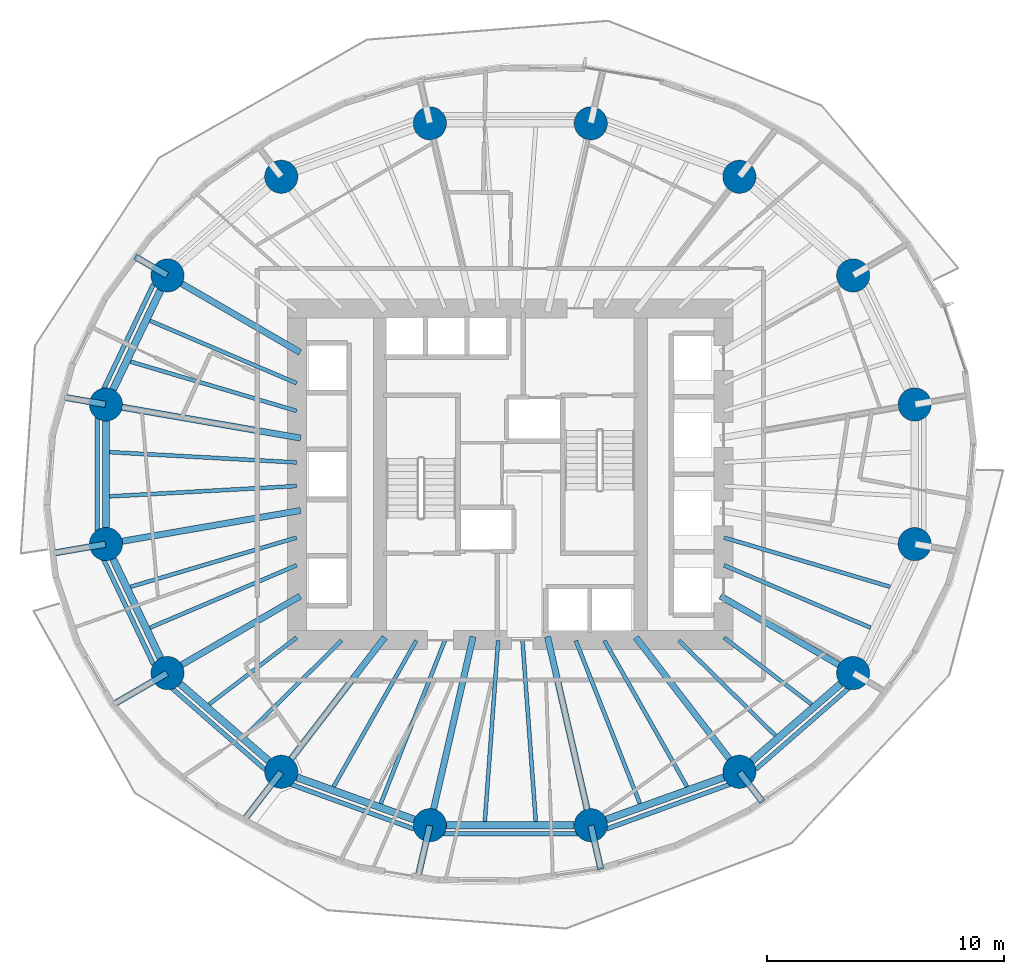
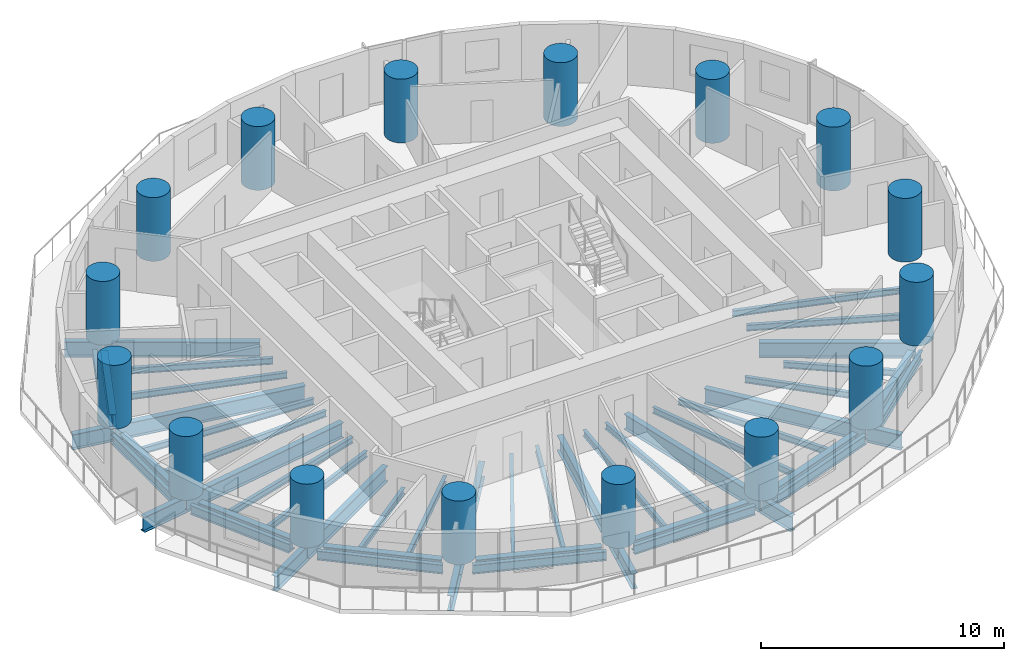
# One storey, part 1 of 13: 51 beams, 16 columns.
"""IFC4 building model written with IfcOpenShell, lengths in metres."""

from ifc_helpers import new_model, si_unit, direction, frame, origin, origin_2d, place, context, subcontext, project, spatial, circle, i_section, extrude, material, material_profile, profile_set, type_object, element, save


model = new_model("IFC4")

# Units and contexts
model_context = context("Model", 3, precision=1e-05, world=origin(), true_north=direction((0.0, 1.0)))
body_context = subcontext(model_context, "Body", "Model", "MODEL_VIEW")
ifc_project = project(units=[si_unit("LENGTHUNIT", "METRE"), si_unit("AREAUNIT", "SQUARE_METRE"), si_unit("VOLUMEUNIT", "CUBIC_METRE"), si_unit("PLANEANGLEUNIT", "RADIAN"), si_unit("MASSUNIT", "GRAM", prefix="KILO")], contexts=[model_context])

# Site, building, storey
site_placement = place(None, origin())
site = spatial("IfcSite", under=ifc_project, at=site_placement, CompositionType="ELEMENT")
building_placement = place(site_placement, origin())
building = spatial("IfcBuilding", under=site, at=building_placement, Name="Veldorim Arch Residences", CompositionType="ELEMENT")
storey_placement = place(building_placement, frame((0.0, 0.0, 53.60009765625)))
storey = spatial("IfcBuildingStorey", under=building, at=storey_placement, Name="L15", CompositionType="ELEMENT", Elevation=53.60009765625)

# Columns
ifc_material_1 = material(Name="Concrete C60/75", Category="concrete")
ifc_material_profile_1 = material_profile(ifc_material_1, circle(Radius=0.699951171875, at=origin_2d()), Name="RC_CIRC_1400")
ifc_profile_set_1 = profile_set([ifc_material_profile_1], Name="Concrete C60/75")
column_type = type_object("IfcColumnType", Name="Structural Column RC_CIRC_1400", PredefinedType="COLUMN", material=ifc_profile_set_1)
for number, where, z_axis, x_axis, name in (
    (1, (49.065673828125, 26.94580078125, 0.0), (0.0, 0.0, 1.0), (1.0, 0.0, 0.0), "L15 TC-Z1-01 perimeter column"),
    (2, (46.467529296875, 32.38916015625, 0.0), (0.0, 0.0, 1.0), (1.0, 0.0, 0.0), "L15 TC-Z1-02 perimeter column"),
    (3, (41.6669921875, 36.55517578125, 0.0), (0.0, 0.0, 1.0), (1.0, 0.0, 0.0), "L15 TC-Z1-03 perimeter column"),
    (4, (35.39453125, 38.809814453125, 0.0), (0.0, 0.0, 1.0), (1.0, 0.0, 0.0), "L15 TC-Z1-04 perimeter column"),
    (5, (28.60546875, 38.809814453125, 0.0), (0.0, 0.0, 1.0), (1.0, 0.0, 0.0), "L15 TC-Z1-05 perimeter column"),
    (6, (22.3330078125, 36.55517578125, 0.0), (0.0, 0.0, 1.0), (1.0, 0.0, 0.0), "L15 TC-Z1-06 perimeter column"),
    (7, (17.532470703125, 32.38916015625, 0.0), (0.0, 0.0, 1.0), (1.0, 0.0, 0.0), "L15 TC-Z1-07 perimeter column"),
    (8, (14.934326171875, 26.94580078125, 0.0), (0.0, 0.0, 1.0), (1.0, 0.0, 0.0), "L15 TC-Z1-08 perimeter column"),
    (9, (14.934326171875, 21.05419921875, 0.0), (0.0, 0.0, 1.0), (1.0, 0.0, 0.0), "L15 TC-Z1-09 perimeter column"),
    (10, (17.532470703125, 15.61083984375, 0.0), (0.0, 0.0, 1.0), (1.0, 0.0, 0.0), "L15 TC-Z1-10 perimeter column"),
    (11, (22.3330078125, 11.44482421875, 0.0), (0.0, 0.0, 1.0), (1.0, 0.0, 0.0), "L15 TC-Z1-11 perimeter column"),
    (12, (28.60546875, 9.190185546875, 0.0), (0.0, 0.0, 1.0), (1.0, 0.0, 0.0), "L15 TC-Z1-12 perimeter column"),
    (13, (35.39453125, 9.190185546875, 0.0), (0.0, 0.0, 1.0), (1.0, 0.0, 0.0), "L15 TC-Z1-13 perimeter column"),
    (14, (41.6669921875, 11.44482421875, 0.0), (0.0, 0.0, 1.0), (1.0, 0.0, 0.0), "L15 TC-Z1-14 perimeter column"),
    (15, (46.467529296875, 15.61083984375, 0.0), (0.0, 0.0, 1.0), (1.0, 0.0, 0.0), "L15 TC-Z1-15 perimeter column"),
    (16, (49.065673828125, 21.05419921875, 0.0), (0.0, 0.0, 1.0), (1.0, 0.0, 0.0), "L15 TC-Z1-16 perimeter column"),
):
    element("IfcColumn", number, at=place(storey_placement, frame(where, z_axis=z_axis, x_axis=x_axis)), inside=storey, type_object=column_type, Name=name, PredefinedType="COLUMN", context=body_context, shape_type="SweptSolid", body=[
        extrude(circle(Radius=0.699951171875, at=origin_2d()), origin(), (0.0, 0.0, 1.0), 3.199951171875),
    ])

# Beams
ifc_material_2 = material(Name="Steel S355", Category="steel")
ifc_material_profile_2 = material_profile(ifc_material_2, i_section(OverallWidth=0.30712890625, OverallDepth=0.6201171875, WebThickness=0.01416015625, FlangeThickness=0.023681640625, at=origin_2d()), Name="UB610x305x179")
ifc_profile_set_2 = profile_set([ifc_material_profile_2], Name="Steel S355")
beam_type_1 = type_object("IfcBeamType", Name="Structural Steel Beam UB610x305x179", PredefinedType="BEAM", material=ifc_profile_set_2)
beam_1_placement = place(storey_placement, frame((17.23095703125, 31.75732421875, -0.55029296875), z_axis=(-0.430776422552, -0.902458682585, 0.0), x_axis=(0.902458682585, -0.430776422552, 0.0)))
element("IfcBeam", 17, at=beam_1_placement, inside=storey, type_object=beam_type_1, Name="L15 perimeter ring tie beam 07", PredefinedType="BEAM", context=body_context, shape_type="SweptSolid", body=[
    extrude(i_section(OverallWidth=0.30712890625, OverallDepth=0.6201171875, WebThickness=0.01416015625, FlangeThickness=0.023681640625, at=origin_2d()), origin(), (0.0, 0.0, 1.0), 4.63134765625),
])
beam_2_placement = place(storey_placement, frame((14.934326171875, 26.245849609375, -0.55029296875), z_axis=(0.0, -1.0, 0.0), x_axis=(1.0, 0.0, 0.0)))
element("IfcBeam", 18, at=beam_2_placement, inside=storey, type_object=beam_type_1, Name="L15 perimeter ring tie beam 08", PredefinedType="BEAM", context=body_context, shape_type="SweptSolid", body=[
    extrude(i_section(OverallWidth=0.30712890625, OverallDepth=0.6201171875, WebThickness=0.01416015625, FlangeThickness=0.023681640625, at=origin_2d()), origin(), (0.0, 0.0, 1.0), 4.49169921875),
])
beam_3_placement = place(storey_placement, frame((15.23583984375, 20.42236328125, -0.55029296875), z_axis=(0.430776422552, -0.902458682585, 0.0), x_axis=(0.902458682585, 0.430776422552, 0.0)))
element("IfcBeam", 19, at=beam_3_placement, inside=storey, type_object=beam_type_1, Name="L15 perimeter ring tie beam 09", PredefinedType="BEAM", context=body_context, shape_type="SweptSolid", body=[
    extrude(i_section(OverallWidth=0.30712890625, OverallDepth=0.6201171875, WebThickness=0.01416015625, FlangeThickness=0.023681640625, at=origin_2d()), origin(), (0.0, 0.0, 1.0), 4.63134765625),
])
beam_4_placement = place(storey_placement, frame((18.06103515625, 15.152099609375, -0.55029296875), z_axis=(0.755264734985, -0.655419850239, 0.0), x_axis=(0.655419850239, 0.755264734985, 0.0)))
element("IfcBeam", 20, at=beam_4_placement, inside=storey, type_object=beam_type_1, Name="L15 perimeter ring tie beam 10", PredefinedType="BEAM", context=body_context, shape_type="SweptSolid", body=[
    extrude(i_section(OverallWidth=0.30712890625, OverallDepth=0.6201171875, WebThickness=0.01416015625, FlangeThickness=0.023681640625, at=origin_2d()), origin(), (0.0, 0.0, 1.0), 4.956298828125),
])
beam_5_placement = place(storey_placement, frame((22.99169921875, 11.2080078125, -0.55029296875), z_axis=(0.941058113369, -0.338244922006, 0.0), x_axis=(0.338244922006, 0.941058113369, 0.0)))
element("IfcBeam", 21, at=beam_5_placement, inside=storey, type_object=beam_type_1, Name="L15 perimeter ring tie beam 11", PredefinedType="BEAM", context=body_context, shape_type="SweptSolid", body=[
    extrude(i_section(OverallWidth=0.30712890625, OverallDepth=0.6201171875, WebThickness=0.01416015625, FlangeThickness=0.023681640625, at=origin_2d()), origin(), (0.0, 0.0, 1.0), 5.265380859375),
])
beam_6_placement = place(storey_placement, frame((29.305419921875, 9.190185546875, -0.55029296875), z_axis=(1.0, 0.0, 0.0), x_axis=(0.0, 1.0, 0.0)))
element("IfcBeam", 22, at=beam_6_placement, inside=storey, type_object=beam_type_1, Name="L15 perimeter ring tie beam 12", PredefinedType="BEAM", context=body_context, shape_type="SweptSolid", body=[
    extrude(i_section(OverallWidth=0.30712890625, OverallDepth=0.6201171875, WebThickness=0.01416015625, FlangeThickness=0.023681640625, at=origin_2d()), origin(), (0.0, 0.0, 1.0), 5.38916015625),
])
beam_7_placement = place(storey_placement, frame((36.05322265625, 9.427001953125, -0.55029296875), z_axis=(0.941058113369, 0.338244922006, 0.0), x_axis=(-0.338244922006, 0.941058113369, 0.0)))
element("IfcBeam", 23, at=beam_7_placement, inside=storey, type_object=beam_type_1, Name="L15 perimeter ring tie beam 13", PredefinedType="BEAM", context=body_context, shape_type="SweptSolid", body=[
    extrude(i_section(OverallWidth=0.30712890625, OverallDepth=0.6201171875, WebThickness=0.01416015625, FlangeThickness=0.023681640625, at=origin_2d()), origin(), (0.0, 0.0, 1.0), 5.265380859375),
])
beam_8_placement = place(storey_placement, frame((42.195556640625, 11.903564453125, -0.55029296875), z_axis=(0.755264734985, 0.655419850239, 0.0), x_axis=(-0.655419850239, 0.755264734985, 0.0)))
element("IfcBeam", 24, at=beam_8_placement, inside=storey, type_object=beam_type_1, Name="L15 perimeter ring tie beam 14", PredefinedType="BEAM", context=body_context, shape_type="SweptSolid", body=[
    extrude(i_section(OverallWidth=0.30712890625, OverallDepth=0.6201171875, WebThickness=0.01416015625, FlangeThickness=0.023681640625, at=origin_2d()), origin(), (0.0, 0.0, 1.0), 4.956298828125),
])
ifc_material_3 = material(Name="Steel S355", Category="steel")
ifc_material_profile_3 = material_profile(ifc_material_3, i_section(OverallWidth=0.26806640625, OverallDepth=0.769775390625, WebThickness=0.015625, FlangeThickness=0.025390625, at=origin_2d()), Name="UB762x267x197")
ifc_profile_set_3 = profile_set([ifc_material_profile_3], Name="Steel S355")
beam_type_2 = type_object("IfcBeamType", Name="Structural Steel GIRDER UB762x267x197", PredefinedType="USERDEFINED", material=ifc_profile_set_3)
beam_9_placement = place(storey_placement, frame((23.1298828125, 29.1435546875, -0.625), z_axis=(-0.865088348752, 0.501619525989, 0.0), x_axis=(-0.501619525989, -0.865088348752, 0.0)))
element("IfcBeam", 25, at=beam_9_placement, inside=storey, type_object=beam_type_2, Name="L15 radial floor girder 07", ObjectType="GIRDER", PredefinedType="USERDEFINED", context=body_context, shape_type="SweptSolid", body=[
    extrude(i_section(OverallWidth=0.26806640625, OverallDepth=0.769775390625, WebThickness=0.015625, FlangeThickness=0.025390625, at=origin_2d()), origin(), (0.0, 0.0, 1.0), 6.4501953125),
])
beam_10_placement = place(storey_placement, frame((17.51513671875, 32.399169921875, -0.625), z_axis=(-0.865069192435, 0.50165256134, 0.0), x_axis=(-0.50165256134, -0.865069192435, 0.0)))
element("IfcBeam", 26, at=beam_10_placement, inside=storey, type_object=beam_type_2, Name="L15 radial edge cantilever girder 07", ObjectType="GIRDER", PredefinedType="USERDEFINED", context=body_context, shape_type="SweptSolid", body=[
    extrude(i_section(OverallWidth=0.26806640625, OverallDepth=0.769775390625, WebThickness=0.015625, FlangeThickness=0.025390625, at=origin_2d()), origin(), (0.0, 0.0, 1.0), 1.561279296875),
])
beam_11_placement = place(storey_placement, frame((23.147705078125, 25.528076171875, -0.625), z_axis=(-0.985427548249, 0.170095699979, 0.0), x_axis=(-0.170095699979, -0.985427548249, 0.0)))
element("IfcBeam", 27, at=beam_11_placement, inside=storey, type_object=beam_type_2, Name="L15 radial floor girder 08", ObjectType="GIRDER", PredefinedType="USERDEFINED", context=body_context, shape_type="SweptSolid", body=[
    extrude(i_section(OverallWidth=0.26806640625, OverallDepth=0.769775390625, WebThickness=0.015625, FlangeThickness=0.025390625, at=origin_2d()), origin(), (0.0, 0.0, 1.0), 8.314697265625),
])
beam_12_placement = place(storey_placement, frame((14.91455078125, 26.94921875, -0.625), z_axis=(-0.985429411719, 0.170084903857, 0.0), x_axis=(-0.170084903857, -0.985429411719, 0.0)))
element("IfcBeam", 28, at=beam_12_placement, inside=storey, type_object=beam_type_2, Name="L15 radial edge cantilever girder 08", ObjectType="GIRDER", PredefinedType="USERDEFINED", context=body_context, shape_type="SweptSolid", body=[
    extrude(i_section(OverallWidth=0.26806640625, OverallDepth=0.769775390625, WebThickness=0.015625, FlangeThickness=0.025390625, at=origin_2d()), origin(), (0.0, 0.0, 1.0), 1.83740234375),
])
beam_13_placement = place(storey_placement, frame((23.147705078125, 22.471923828125, -0.625), z_axis=(-0.985427548249, -0.170095699979, 0.0), x_axis=(0.170095699979, -0.985427548249, 0.0)))
element("IfcBeam", 29, at=beam_13_placement, inside=storey, type_object=beam_type_2, Name="L15 radial floor girder 09", ObjectType="GIRDER", PredefinedType="USERDEFINED", context=body_context, shape_type="SweptSolid", body=[
    extrude(i_section(OverallWidth=0.26806640625, OverallDepth=0.769775390625, WebThickness=0.015625, FlangeThickness=0.025390625, at=origin_2d()), origin(), (0.0, 0.0, 1.0), 8.314697265625),
])
beam_14_placement = place(storey_placement, frame((14.91455078125, 21.05078125, -0.625), z_axis=(-0.985413878658, -0.170174874021, 0.0), x_axis=(0.170174874021, -0.985413878658, 0.0)))
element("IfcBeam", 30, at=beam_14_placement, inside=storey, type_object=beam_type_2, Name="L15 radial edge cantilever girder 09", ObjectType="GIRDER", PredefinedType="USERDEFINED", context=body_context, shape_type="SweptSolid", body=[
    extrude(i_section(OverallWidth=0.26806640625, OverallDepth=0.769775390625, WebThickness=0.015625, FlangeThickness=0.025390625, at=origin_2d()), origin(), (0.0, 0.0, 1.0), 2.288330078125),
])
beam_15_placement = place(storey_placement, frame((23.1298828125, 18.8564453125, -0.625), z_axis=(-0.865088348752, -0.501619525989, 0.0), x_axis=(0.501619525989, -0.865088348752, 0.0)))
element("IfcBeam", 31, at=beam_15_placement, inside=storey, type_object=beam_type_2, Name="L15 radial floor girder 10", ObjectType="GIRDER", PredefinedType="USERDEFINED", context=body_context, shape_type="SweptSolid", body=[
    extrude(i_section(OverallWidth=0.26806640625, OverallDepth=0.769775390625, WebThickness=0.015625, FlangeThickness=0.025390625, at=origin_2d()), origin(), (0.0, 0.0, 1.0), 6.4501953125),
])
beam_16_placement = place(storey_placement, frame((17.51513671875, 15.600830078125, -0.625), z_axis=(-0.865102620341, -0.501594912534, 0.0), x_axis=(0.501594912534, -0.865102620341, 0.0)))
element("IfcBeam", 32, at=beam_16_placement, inside=storey, type_object=beam_type_2, Name="L15 radial edge cantilever girder 10", ObjectType="GIRDER", PredefinedType="USERDEFINED", context=body_context, shape_type="SweptSolid", body=[
    extrude(i_section(OverallWidth=0.26806640625, OverallDepth=0.769775390625, WebThickness=0.015625, FlangeThickness=0.025390625, at=origin_2d()), origin(), (0.0, 0.0, 1.0), 2.669677734375),
])
beam_17_placement = place(storey_placement, frame((26.701904296875, 17.118896484375, -0.625), z_axis=(-0.610082439157, -0.792337943956, 0.0), x_axis=(0.792337943956, -0.610082439157, 0.0)))
element("IfcBeam", 33, at=beam_17_placement, inside=storey, type_object=beam_type_2, Name="L15 radial floor girder 11", ObjectType="GIRDER", PredefinedType="USERDEFINED", context=body_context, shape_type="SweptSolid", body=[
    extrude(i_section(OverallWidth=0.26806640625, OverallDepth=0.769775390625, WebThickness=0.015625, FlangeThickness=0.025390625, at=origin_2d()), origin(), (0.0, 0.0, 1.0), 7.14111328125),
])
beam_18_placement = place(storey_placement, frame((22.32080078125, 11.428955078125, -0.625), z_axis=(-0.610041651391, -0.792369347948, 0.0), x_axis=(0.792369347948, -0.610041651391, 0.0)))
element("IfcBeam", 34, at=beam_18_placement, inside=storey, type_object=beam_type_2, Name="L15 radial edge cantilever girder 11", ObjectType="GIRDER", PredefinedType="USERDEFINED", context=body_context, shape_type="SweptSolid", body=[
    extrude(i_section(OverallWidth=0.26806640625, OverallDepth=0.769775390625, WebThickness=0.015625, FlangeThickness=0.025390625, at=origin_2d()), origin(), (0.0, 0.0, 1.0), 2.56689453125),
])
beam_19_placement = place(storey_placement, frame((30.428955078125, 17.146240234375, -0.625), z_axis=(-0.223411766201, -0.974724157248, 0.0), x_axis=(0.974724157248, -0.223411766201, 0.0)))
element("IfcBeam", 35, at=beam_19_placement, inside=storey, type_object=beam_type_2, Name="L15 radial floor girder 12", ObjectType="GIRDER", PredefinedType="USERDEFINED", context=body_context, shape_type="SweptSolid", body=[
    extrude(i_section(OverallWidth=0.26806640625, OverallDepth=0.769775390625, WebThickness=0.015625, FlangeThickness=0.025390625, at=origin_2d()), origin(), (0.0, 0.0, 1.0), 8.142333984375),
])
beam_20_placement = place(storey_placement, frame((28.600830078125, 9.170654296875, -0.625), z_axis=(-0.223363216183, -0.974735283888, 0.0), x_axis=(0.974735283888, -0.223363216183, 0.0)))
element("IfcBeam", 36, at=beam_20_placement, inside=storey, type_object=beam_type_2, Name="L15 radial edge cantilever girder 12", ObjectType="GIRDER", PredefinedType="USERDEFINED", context=body_context, shape_type="SweptSolid", body=[
    extrude(i_section(OverallWidth=0.26806640625, OverallDepth=0.769775390625, WebThickness=0.015625, FlangeThickness=0.025390625, at=origin_2d()), origin(), (0.0, 0.0, 1.0), 2.24072265625),
])
beam_21_placement = place(storey_placement, frame((33.571044921875, 17.146240234375, -0.625), z_axis=(0.223411766201, -0.974724157248, 0.0), x_axis=(0.974724157248, 0.223411766201, 0.0)))
element("IfcBeam", 37, at=beam_21_placement, inside=storey, type_object=beam_type_2, Name="L15 radial floor girder 13", ObjectType="GIRDER", PredefinedType="USERDEFINED", context=body_context, shape_type="SweptSolid", body=[
    extrude(i_section(OverallWidth=0.26806640625, OverallDepth=0.769775390625, WebThickness=0.015625, FlangeThickness=0.025390625, at=origin_2d()), origin(), (0.0, 0.0, 1.0), 8.142333984375),
])
beam_22_placement = place(storey_placement, frame((35.399169921875, 9.170654296875, -0.625), z_axis=(0.223322154624, -0.974744692345, 0.0), x_axis=(0.974744692345, 0.223322154624, 0.0)))
element("IfcBeam", 38, at=beam_22_placement, inside=storey, type_object=beam_type_2, Name="L15 radial edge cantilever girder 13", ObjectType="GIRDER", PredefinedType="USERDEFINED", context=body_context, shape_type="SweptSolid", body=[
    extrude(i_section(OverallWidth=0.26806640625, OverallDepth=0.769775390625, WebThickness=0.015625, FlangeThickness=0.025390625, at=origin_2d()), origin(), (0.0, 0.0, 1.0), 1.879150390625),
])
beam_23_placement = place(storey_placement, frame((37.298095703125, 17.118896484375, -0.625), z_axis=(0.610082439157, -0.792337943956, 0.0), x_axis=(0.792337943956, 0.610082439157, 0.0)))
element("IfcBeam", 39, at=beam_23_placement, inside=storey, type_object=beam_type_2, Name="L15 radial floor girder 14", ObjectType="GIRDER", PredefinedType="USERDEFINED", context=body_context, shape_type="SweptSolid", body=[
    extrude(i_section(OverallWidth=0.26806640625, OverallDepth=0.769775390625, WebThickness=0.015625, FlangeThickness=0.025390625, at=origin_2d()), origin(), (0.0, 0.0, 1.0), 7.14111328125),
])
beam_24_placement = place(storey_placement, frame((41.67919921875, 11.428955078125, -0.625), z_axis=(0.610061594732, -0.792353993259, 0.0), x_axis=(0.792353993259, 0.610061594732, 0.0)))
element("IfcBeam", 40, at=beam_24_placement, inside=storey, type_object=beam_type_2, Name="L15 radial edge cantilever girder 14", ObjectType="GIRDER", PredefinedType="USERDEFINED", context=body_context, shape_type="SweptSolid", body=[
    extrude(i_section(OverallWidth=0.26806640625, OverallDepth=0.769775390625, WebThickness=0.015625, FlangeThickness=0.025390625, at=origin_2d()), origin(), (0.0, 0.0, 1.0), 1.580322265625),
])
beam_25_placement = place(storey_placement, frame((40.8701171875, 18.8564453125, -0.625), z_axis=(0.865088348752, -0.501619525989, 0.0), x_axis=(0.501619525989, 0.865088348752, 0.0)))
element("IfcBeam", 41, at=beam_25_placement, inside=storey, type_object=beam_type_2, Name="L15 radial floor girder 15", ObjectType="GIRDER", PredefinedType="USERDEFINED", context=body_context, shape_type="SweptSolid", body=[
    extrude(i_section(OverallWidth=0.26806640625, OverallDepth=0.769775390625, WebThickness=0.015625, FlangeThickness=0.025390625, at=origin_2d()), origin(), (0.0, 0.0, 1.0), 6.4501953125),
])
ifc_material_4 = material(Name="Steel S355", Category="steel")
ifc_material_profile_4 = material_profile(ifc_material_4, i_section(OverallWidth=0.165771484375, OverallDepth=0.306640625, WebThickness=0.006591796875, FlangeThickness=0.01171875, at=origin_2d()), Name="UB305x165x46")
ifc_profile_set_4 = profile_set([ifc_material_profile_4], Name="Steel S355")
beam_type_3 = type_object("IfcBeamType", Name="Structural Steel Joist UB305x165x46", PredefinedType="JOIST", material=ifc_profile_set_4)
beam_26_placement = place(storey_placement, frame((22.981689453125, 27.84130859375, -0.393310546875), z_axis=(-0.920032948668, 0.391841005213, 0.0), x_axis=(-0.391841005213, -0.920032948668, 0.0)))
element("IfcBeam", 42, at=beam_26_placement, inside=storey, type_object=beam_type_3, Name="L15 secondary radial floor joist 07-1", PredefinedType="JOIST", context=body_context, shape_type="SweptSolid", body=[
    extrude(i_section(OverallWidth=0.165771484375, OverallDepth=0.306640625, WebThickness=0.006591796875, FlangeThickness=0.01171875, at=origin_2d()), origin(), (0.0, 0.0, 1.0), 6.723388671875),
])
beam_27_placement = place(storey_placement, frame((22.980712890625, 26.67333984375, -0.393310546875), z_axis=(-0.958766778771, 0.284194060325, 0.0), x_axis=(-0.284194060325, -0.958766778771, 0.0)))
element("IfcBeam", 43, at=beam_27_placement, inside=storey, type_object=beam_type_3, Name="L15 secondary radial floor joist 07-2", PredefinedType="JOIST", context=body_context, shape_type="SweptSolid", body=[
    extrude(i_section(OverallWidth=0.165771484375, OverallDepth=0.306640625, WebThickness=0.006591796875, FlangeThickness=0.01171875, at=origin_2d()), origin(), (0.0, 0.0, 1.0), 7.3115234375),
])
for number, where, z_axis, x_axis, name in (
    (44, (22.97998046875, 24.498291015625, -0.393310546875), (-0.998478371109, 0.055144740699, 0.0), (-0.055144740699, -0.998478371109, 0.0), "L15 secondary radial floor joist 08-1"),
    (45, (22.97998046875, 23.501708984375, -0.393310546875), (-0.998478371109, -0.055144740699, 0.0), (0.055144740699, -0.998478371109, 0.0), "L15 secondary radial floor joist 08-2"),
):
    element("IfcBeam", number, at=place(storey_placement, frame(where, z_axis=z_axis, x_axis=x_axis)), inside=storey, type_object=beam_type_3, Name=name, PredefinedType="JOIST", context=body_context, shape_type="SweptSolid", body=[
        extrude(i_section(OverallWidth=0.165771484375, OverallDepth=0.306640625, WebThickness=0.006591796875, FlangeThickness=0.01171875, at=origin_2d()), origin(), (0.0, 0.0, 1.0), 7.898193359375),
    ])
beam_28_placement = place(storey_placement, frame((22.980712890625, 21.32666015625, -0.393310546875), z_axis=(-0.958766778771, -0.284194060325, 0.0), x_axis=(0.284194060325, -0.958766778771, 0.0)))
element("IfcBeam", 46, at=beam_28_placement, inside=storey, type_object=beam_type_3, Name="L15 secondary radial floor joist 09-1", PredefinedType="JOIST", context=body_context, shape_type="SweptSolid", body=[
    extrude(i_section(OverallWidth=0.165771484375, OverallDepth=0.306640625, WebThickness=0.006591796875, FlangeThickness=0.01171875, at=origin_2d()), origin(), (0.0, 0.0, 1.0), 7.3115234375),
])
beam_29_placement = place(storey_placement, frame((22.981689453125, 20.15869140625, -0.393310546875), z_axis=(-0.920032948668, -0.391841005213, 0.0), x_axis=(0.391841005213, -0.920032948668, 0.0)))
element("IfcBeam", 47, at=beam_29_placement, inside=storey, type_object=beam_type_3, Name="L15 secondary radial floor joist 09-2", PredefinedType="JOIST", context=body_context, shape_type="SweptSolid", body=[
    extrude(i_section(OverallWidth=0.165771484375, OverallDepth=0.306640625, WebThickness=0.006591796875, FlangeThickness=0.01171875, at=origin_2d()), origin(), (0.0, 0.0, 1.0), 6.723388671875),
])
beam_30_placement = place(storey_placement, frame((22.984130859375, 17.1123046875, -0.393310546875), z_axis=(-0.794666431166, -0.607046343517, 0.0), x_axis=(0.607046343517, -0.794666431166, 0.0)))
element("IfcBeam", 48, at=beam_30_placement, inside=storey, type_object=beam_type_3, Name="L15 secondary radial floor joist 10-1", PredefinedType="JOIST", context=body_context, shape_type="SweptSolid", body=[
    extrude(i_section(OverallWidth=0.165771484375, OverallDepth=0.306640625, WebThickness=0.006591796875, FlangeThickness=0.01171875, at=origin_2d()), origin(), (0.0, 0.0, 1.0), 4.646728515625),
])
beam_31_placement = place(storey_placement, frame((24.885009765625, 16.986083984375, -0.393310546875), z_axis=(-0.712129078446, -0.702048556463, 0.0), x_axis=(0.702048556463, -0.712129078446, 0.0)))
element("IfcBeam", 49, at=beam_31_placement, inside=storey, type_object=beam_type_3, Name="L15 secondary radial floor joist 10-2", PredefinedType="JOIST", context=body_context, shape_type="SweptSolid", body=[
    extrude(i_section(OverallWidth=0.165771484375, OverallDepth=0.306640625, WebThickness=0.006591796875, FlangeThickness=0.01171875, at=origin_2d()), origin(), (0.0, 0.0, 1.0), 5.715576171875),
])
beam_32_placement = place(storey_placement, frame((28.03125, 16.982666015625, -0.393310546875), z_axis=(-0.492292335352, -0.870429926274, 0.0), x_axis=(0.870429926274, -0.492292335352, 0.0)))
element("IfcBeam", 50, at=beam_32_placement, inside=storey, type_object=beam_type_3, Name="L15 secondary radial floor joist 11-1", PredefinedType="JOIST", context=body_context, shape_type="SweptSolid", body=[
    extrude(i_section(OverallWidth=0.165771484375, OverallDepth=0.306640625, WebThickness=0.006591796875, FlangeThickness=0.01171875, at=origin_2d()), origin(), (0.0, 0.0, 1.0), 7.083251953125),
])
beam_33_placement = place(storey_placement, frame((29.237548828125, 16.9814453125, -0.393310546875), z_axis=(-0.366229833858, -0.930524426758, 0.0), x_axis=(0.930524426758, -0.366229833858, 0.0)))
element("IfcBeam", 51, at=beam_33_placement, inside=storey, type_object=beam_type_3, Name="L15 secondary radial floor joist 11-2", PredefinedType="JOIST", context=body_context, shape_type="SweptSolid", body=[
    extrude(i_section(OverallWidth=0.165771484375, OverallDepth=0.306640625, WebThickness=0.006591796875, FlangeThickness=0.01171875, at=origin_2d()), origin(), (0.0, 0.0, 1.0), 7.3896484375),
])
for number, where, z_axis, x_axis, name in (
    (52, (31.485107421875, 16.97998046875, -0.393310546875), (-0.073167620373, -0.997319657547, 0.0), (0.997319657547, -0.073167620373, 0.0), "L15 secondary radial floor joist 12-1"),
    (53, (32.514892578125, 16.97998046875, -0.393310546875), (0.073167620373, -0.997319657547, 0.0), (0.997319657547, 0.073167620373, 0.0), "L15 secondary radial floor joist 12-2"),
):
    element("IfcBeam", number, at=place(storey_placement, frame(where, z_axis=z_axis, x_axis=x_axis)), inside=storey, type_object=beam_type_3, Name=name, PredefinedType="JOIST", context=body_context, shape_type="SweptSolid", body=[
        extrude(i_section(OverallWidth=0.165771484375, OverallDepth=0.306640625, WebThickness=0.006591796875, FlangeThickness=0.01171875, at=origin_2d()), origin(), (0.0, 0.0, 1.0), 7.651123046875),
    ])
beam_34_placement = place(storey_placement, frame((34.762451171875, 16.9814453125, -0.393310546875), z_axis=(0.366229833858, -0.930524426758, 0.0), x_axis=(0.930524426758, 0.366229833858, 0.0)))
element("IfcBeam", 54, at=beam_34_placement, inside=storey, type_object=beam_type_3, Name="L15 secondary radial floor joist 13-1", PredefinedType="JOIST", context=body_context, shape_type="SweptSolid", body=[
    extrude(i_section(OverallWidth=0.165771484375, OverallDepth=0.306640625, WebThickness=0.006591796875, FlangeThickness=0.01171875, at=origin_2d()), origin(), (0.0, 0.0, 1.0), 7.3896484375),
])
beam_35_placement = place(storey_placement, frame((35.96875, 16.982666015625, -0.393310546875), z_axis=(0.492292335352, -0.870429926274, 0.0), x_axis=(0.870429926274, 0.492292335352, 0.0)))
element("IfcBeam", 55, at=beam_35_placement, inside=storey, type_object=beam_type_3, Name="L15 secondary radial floor joist 13-2", PredefinedType="JOIST", context=body_context, shape_type="SweptSolid", body=[
    extrude(i_section(OverallWidth=0.165771484375, OverallDepth=0.306640625, WebThickness=0.006591796875, FlangeThickness=0.01171875, at=origin_2d()), origin(), (0.0, 0.0, 1.0), 7.083251953125),
])
beam_36_placement = place(storey_placement, frame((39.114990234375, 16.986083984375, -0.393310546875), z_axis=(0.712129078446, -0.702048556463, 0.0), x_axis=(0.702048556463, 0.712129078446, 0.0)))
element("IfcBeam", 56, at=beam_36_placement, inside=storey, type_object=beam_type_3, Name="L15 secondary radial floor joist 14-1", PredefinedType="JOIST", context=body_context, shape_type="SweptSolid", body=[
    extrude(i_section(OverallWidth=0.165771484375, OverallDepth=0.306640625, WebThickness=0.006591796875, FlangeThickness=0.01171875, at=origin_2d()), origin(), (0.0, 0.0, 1.0), 5.715576171875),
])
beam_37_placement = place(storey_placement, frame((41.015869140625, 17.1123046875, -0.393310546875), z_axis=(0.794666431166, -0.607046343517, 0.0), x_axis=(0.607046343517, 0.794666431166, 0.0)))
element("IfcBeam", 57, at=beam_37_placement, inside=storey, type_object=beam_type_3, Name="L15 secondary radial floor joist 14-2", PredefinedType="JOIST", context=body_context, shape_type="SweptSolid", body=[
    extrude(i_section(OverallWidth=0.165771484375, OverallDepth=0.306640625, WebThickness=0.006591796875, FlangeThickness=0.01171875, at=origin_2d()), origin(), (0.0, 0.0, 1.0), 4.646728515625),
])
beam_38_placement = place(storey_placement, frame((41.018310546875, 20.15869140625, -0.393310546875), z_axis=(0.920032948668, -0.391841005213, 0.0), x_axis=(0.391841005213, 0.920032948668, 0.0)))
element("IfcBeam", 58, at=beam_38_placement, inside=storey, type_object=beam_type_3, Name="L15 secondary radial floor joist 15-1", PredefinedType="JOIST", context=body_context, shape_type="SweptSolid", body=[
    extrude(i_section(OverallWidth=0.165771484375, OverallDepth=0.306640625, WebThickness=0.006591796875, FlangeThickness=0.01171875, at=origin_2d()), origin(), (0.0, 0.0, 1.0), 6.723388671875),
])
beam_39_placement = place(storey_placement, frame((41.019287109375, 21.32666015625, -0.393310546875), z_axis=(0.958766778771, -0.284194060325, 0.0), x_axis=(0.284194060325, 0.958766778771, 0.0)))
element("IfcBeam", 59, at=beam_39_placement, inside=storey, type_object=beam_type_3, Name="L15 secondary radial floor joist 15-2", PredefinedType="JOIST", context=body_context, shape_type="SweptSolid", body=[
    extrude(i_section(OverallWidth=0.165771484375, OverallDepth=0.306640625, WebThickness=0.006591796875, FlangeThickness=0.01171875, at=origin_2d()), origin(), (0.0, 0.0, 1.0), 7.3115234375),
])
ifc_material_5 = material(Name="Steel S355", Category="steel")
ifc_material_profile_5 = material_profile(ifc_material_5, i_section(OverallWidth=0.19140625, OverallDepth=0.4599609375, WebThickness=0.010009765625, FlangeThickness=0.01611328125, at=origin_2d()), Name="UB457x191x82")
ifc_profile_set_5 = profile_set([ifc_material_profile_5], Name="Steel S355")
beam_type_4 = type_object("IfcBeamType", Name="Structural Steel Spandrel UB457x191x82", PredefinedType="SPANDREL", material=ifc_profile_set_5)
beam_40_placement = place(storey_placement, frame((16.939453125, 32.023193359375, -0.489990234375), z_axis=(-0.428847831425, -0.903376741721, 0.0), x_axis=(0.903376741721, -0.428847831425, 0.0)))
element("IfcBeam", 60, at=beam_40_placement, inside=storey, type_object=beam_type_4, Name="L15 perimeter chord spandrel beam 07", PredefinedType="SPANDREL", context=body_context, shape_type="SweptSolid", body=[
    extrude(i_section(OverallWidth=0.19140625, OverallDepth=0.4599609375, WebThickness=0.010009765625, FlangeThickness=0.01611328125, at=origin_2d()), origin(), (0.0, 0.0, 1.0), 4.932861328125),
])
beam_41_placement = place(storey_placement, frame((14.559814453125, 26.39453125, -0.489990234375), z_axis=(0.0, -1.0, 0.0), x_axis=(1.0, 0.0, 0.0)))
element("IfcBeam", 61, at=beam_41_placement, inside=storey, type_object=beam_type_4, Name="L15 perimeter chord spandrel beam 08", PredefinedType="SPANDREL", context=body_context, shape_type="SweptSolid", body=[
    extrude(i_section(OverallWidth=0.19140625, OverallDepth=0.4599609375, WebThickness=0.010009765625, FlangeThickness=0.01611328125, at=origin_2d()), origin(), (0.0, 0.0, 1.0), 4.7890625),
])
beam_42_placement = place(storey_placement, frame((14.823974609375, 20.43310546875, -0.489990234375), z_axis=(0.428847831425, -0.903376741721, 0.0), x_axis=(0.903376741721, 0.428847831425, 0.0)))
element("IfcBeam", 62, at=beam_42_placement, inside=storey, type_object=beam_type_4, Name="L15 perimeter chord spandrel beam 09", PredefinedType="SPANDREL", context=body_context, shape_type="SweptSolid", body=[
    extrude(i_section(OverallWidth=0.19140625, OverallDepth=0.4599609375, WebThickness=0.010009765625, FlangeThickness=0.01611328125, at=origin_2d()), origin(), (0.0, 0.0, 1.0), 4.932861328125),
])
beam_43_placement = place(storey_placement, frame((17.667724609375, 15.01513671875, -0.489990234375), z_axis=(0.75323350982, -0.657753205758, 0.0), x_axis=(0.657753205758, 0.75323350982, 0.0)))
element("IfcBeam", 63, at=beam_43_placement, inside=storey, type_object=beam_type_4, Name="L15 perimeter chord spandrel beam 10", PredefinedType="SPANDREL", context=body_context, shape_type="SweptSolid", body=[
    extrude(i_section(OverallWidth=0.19140625, OverallDepth=0.4599609375, WebThickness=0.010009765625, FlangeThickness=0.01611328125, at=origin_2d()), origin(), (0.0, 0.0, 1.0), 5.27001953125),
])
beam_44_placement = place(storey_placement, frame((22.680419921875, 10.93408203125, -0.489990234375), z_axis=(0.940268980555, -0.340432437064, 0.0), x_axis=(0.340432437064, 0.940268980555, 0.0)))
element("IfcBeam", 64, at=beam_44_placement, inside=storey, type_object=beam_type_4, Name="L15 perimeter chord spandrel beam 11", PredefinedType="SPANDREL", context=body_context, shape_type="SweptSolid", body=[
    extrude(i_section(OverallWidth=0.19140625, OverallDepth=0.4599609375, WebThickness=0.010009765625, FlangeThickness=0.01611328125, at=origin_2d()), origin(), (0.0, 0.0, 1.0), 5.59521484375),
])
beam_45_placement = place(storey_placement, frame((29.136474609375, 8.819580078125, -0.489990234375), z_axis=(1.0, 0.0, 0.0), x_axis=(0.0, 1.0, 0.0)))
element("IfcBeam", 65, at=beam_45_placement, inside=storey, type_object=beam_type_4, Name="L15 perimeter chord spandrel beam 12", PredefinedType="SPANDREL", context=body_context, shape_type="SweptSolid", body=[
    extrude(i_section(OverallWidth=0.19140625, OverallDepth=0.4599609375, WebThickness=0.010009765625, FlangeThickness=0.01611328125, at=origin_2d()), origin(), (0.0, 0.0, 1.0), 5.72705078125),
])
beam_46_placement = place(storey_placement, frame((36.05859375, 9.029296875, -0.489990234375), z_axis=(0.940268980555, 0.340432437064, 0.0), x_axis=(-0.340432437064, 0.940268980555, 0.0)))
element("IfcBeam", 66, at=beam_46_placement, inside=storey, type_object=beam_type_4, Name="L15 perimeter chord spandrel beam 13", PredefinedType="SPANDREL", context=body_context, shape_type="SweptSolid", body=[
    extrude(i_section(OverallWidth=0.19140625, OverallDepth=0.4599609375, WebThickness=0.010009765625, FlangeThickness=0.01611328125, at=origin_2d()), origin(), (0.0, 0.0, 1.0), 5.59521484375),
])
beam_47_placement = place(storey_placement, frame((42.36279296875, 11.548828125, -0.489990234375), z_axis=(0.75323350982, 0.657753205758, 0.0), x_axis=(-0.657753205758, 0.75323350982, 0.0)))
element("IfcBeam", 67, at=beam_47_placement, inside=storey, type_object=beam_type_4, Name="L15 perimeter chord spandrel beam 14", PredefinedType="SPANDREL", context=body_context, shape_type="SweptSolid", body=[
    extrude(i_section(OverallWidth=0.19140625, OverallDepth=0.4599609375, WebThickness=0.010009765625, FlangeThickness=0.01611328125, at=origin_2d()), origin(), (0.0, 0.0, 1.0), 5.27001953125),
])

save(model, "model.ifc")
